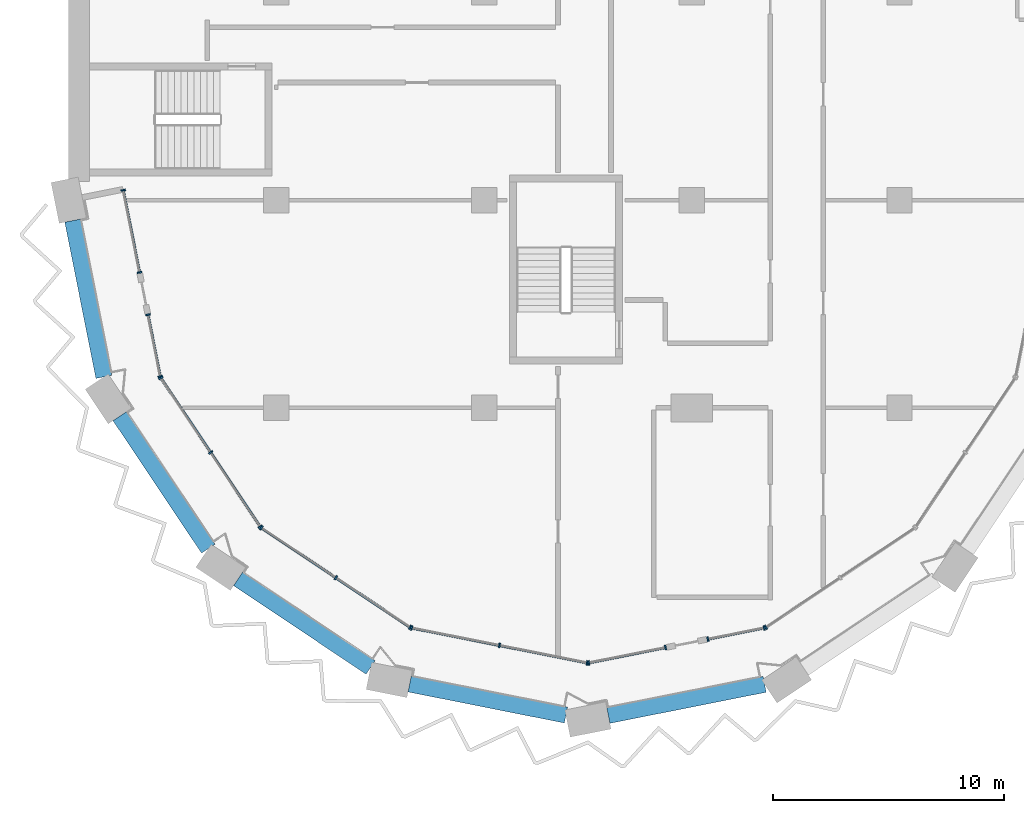
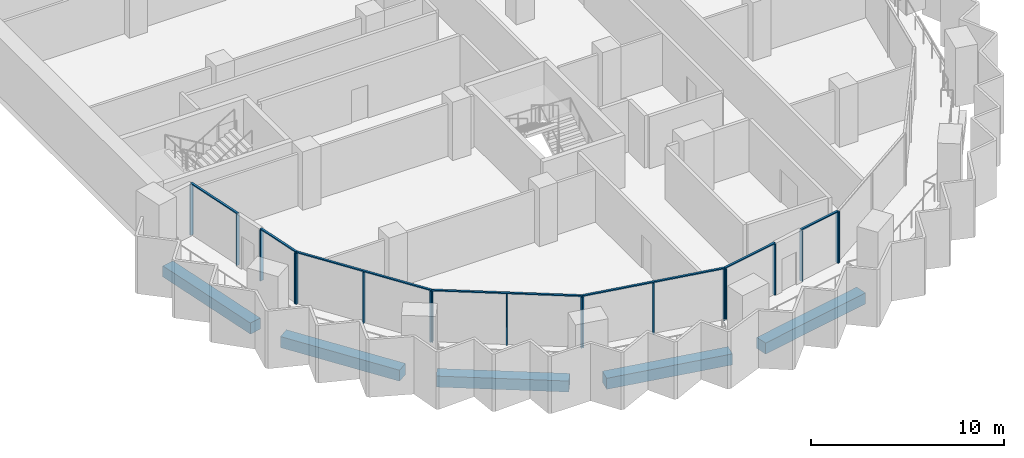
# One storey, part 2 of 17: 25 members, 5 beams, 8 elements without a shape of their own.
"""IFC4 building model written with IfcOpenShell, lengths in metres."""

from ifc_helpers import new_model, si_unit, direction, frame, origin, origin_2d, place, context, subcontext, project, spatial, rectangle, extrude, material, material_profile, profile_set, type_object, element, aggregate, save


model = new_model("IFC4")

# Units and contexts
model_context = context("Model", 3, precision=1e-05, world=origin(), true_north=direction((0.0, 1.0)))
body_context = subcontext(model_context, "Body", "Model", "MODEL_VIEW")
ifc_project = project(units=[si_unit("LENGTHUNIT", "METRE"), si_unit("AREAUNIT", "SQUARE_METRE"), si_unit("VOLUMEUNIT", "CUBIC_METRE"), si_unit("PLANEANGLEUNIT", "RADIAN"), si_unit("MASSUNIT", "GRAM", prefix="KILO")], contexts=[model_context])

# Site, building, storey
site_placement = place(None, origin())
site = spatial("IfcSite", under=ifc_project, at=site_placement, CompositionType="ELEMENT")
building_placement = place(site_placement, origin())
building = spatial("IfcBuilding", under=site, at=building_placement, Name="Hunhe Ridgeline Campus", CompositionType="ELEMENT")
storey_placement = place(building_placement, frame((0.0, 0.0, 208.699951171875)))
storey = spatial("IfcBuildingStorey", under=building, at=storey_placement, Name="L53", CompositionType="ELEMENT", Elevation=208.699951171875)

# Curtain wall, members
ifc_material_1 = material(Name="Aluminium 6063", Category="aluminium")
curtain_wall_type = type_object("IfcCurtainWallType", Name="Curtain wall CW-5", PredefinedType="NOTDEFINED", material=ifc_material_1)
curtain_wall_1_placement = place(storey_placement, origin())
curtain_wall_1 = element("IfcCurtainWall", 1, at=curtain_wall_1_placement, inside=storey, type_object=curtain_wall_type, Name="Curtain wall 01", PredefinedType="NOTDEFINED")
ifc_material_profile_1 = material_profile(ifc_material_1, rectangle(XDim=0.199951171875, YDim=0.070068359375, at=origin_2d()))
ifc_profile_set_1 = profile_set([ifc_material_profile_1], Name="Aluminium 6063")
member_type_1 = type_object("IfcMemberType", Name="CW-5 aluminium mullion", PredefinedType="MULLION", material=ifc_profile_set_1)
member_1_placement = place(storey_placement, frame((2.361572265625, 36.434326171875, 0.0), z_axis=(0.0, 0.0, 1.0), x_axis=(0.980784284924, 0.195095326561, 0.0)))
member_1 = element("IfcMember", 2, at=member_1_placement, type_object=member_type_1, Name="CW-5 mullion 1", PredefinedType="MULLION", context=body_context, shape_type="SweptSolid", body=[
    extrude(rectangle(XDim=0.199951171875, YDim=0.070068359375, at=origin_2d()), origin(), (0.0, 0.0, 1.0), 3.22998046875),
])
member_2_placement = place(storey_placement, frame((3.070068359375, 32.873291015625, 0.0), z_axis=(0.0, 0.0, 1.0), x_axis=(0.980784284924, 0.195095326561, 0.0)))
member_2 = element("IfcMember", 3, at=member_2_placement, type_object=member_type_1, Name="CW-5 mullion 2", PredefinedType="MULLION", context=body_context, shape_type="SweptSolid", body=[
    extrude(rectangle(XDim=0.199951171875, YDim=0.070068359375, at=origin_2d()), origin(), (0.0, 0.0, 1.0), 3.22998046875),
])

curtain_wall_2_placement = place(storey_placement, origin())
curtain_wall_2 = element("IfcCurtainWall", 4, at=curtain_wall_2_placement, inside=storey, type_object=curtain_wall_type, Name="Curtain wall 02", PredefinedType="NOTDEFINED")
member_3_placement = place(storey_placement, frame((3.434814453125, 31.0390625, 0.0), z_axis=(0.0, 0.0, 1.0), x_axis=(0.980784297053, 0.195095265587, 0.0)))
member_3 = element("IfcMember", 5, at=member_3_placement, type_object=member_type_1, Name="CW-5 mullion 1", PredefinedType="MULLION", context=body_context, shape_type="SweptSolid", body=[
    extrude(rectangle(XDim=0.199951171875, YDim=0.070068359375, at=origin_2d()), origin(), (0.0, 0.0, 1.0), 3.22998046875),
])
member_4_placement = place(storey_placement, frame((3.967529296875, 28.36083984375, 0.0), z_axis=(0.0, 0.0, 1.0), x_axis=(0.980784297053, 0.195095265587, 0.0)))
member_4 = element("IfcMember", 6, at=member_4_placement, type_object=member_type_1, Name="CW-5 mullion 2", PredefinedType="MULLION", context=body_context, shape_type="SweptSolid", body=[
    extrude(rectangle(XDim=0.199951171875, YDim=0.070068359375, at=origin_2d()), origin(), (0.0, 0.0, 1.0), 3.22998046875),
])

curtain_wall_3_placement = place(storey_placement, origin())
curtain_wall_3 = element("IfcCurtainWall", 7, at=curtain_wall_3_placement, inside=storey, type_object=curtain_wall_type, Name="Curtain wall 03", PredefinedType="NOTDEFINED")
member_5_placement = place(storey_placement, frame((3.993896484375, 28.29736328125, 0.0), z_axis=(0.0, 0.0, 1.0), x_axis=(0.831469584522, 0.555570274596, 0.0)))
member_5 = element("IfcMember", 8, at=member_5_placement, type_object=member_type_1, Name="CW-5 mullion 1", PredefinedType="MULLION", context=body_context, shape_type="SweptSolid", body=[
    extrude(rectangle(XDim=0.199951171875, YDim=0.070068359375, at=origin_2d()), origin(), (0.0, 0.0, 1.0), 3.22998046875),
])
member_6_placement = place(storey_placement, frame((6.147705078125, 25.07373046875, 0.0), z_axis=(0.0, 0.0, 1.0), x_axis=(0.831469584522, 0.555570274596, 0.0)))
member_6 = element("IfcMember", 9, at=member_6_placement, type_object=member_type_1, Name="CW-5 mullion 2", PredefinedType="MULLION", context=body_context, shape_type="SweptSolid", body=[
    extrude(rectangle(XDim=0.199951171875, YDim=0.070068359375, at=origin_2d()), origin(), (0.0, 0.0, 1.0), 3.22998046875),
])
member_7_placement = place(storey_placement, frame((8.3017578125, 21.850341796875, 0.0), z_axis=(0.0, 0.0, 1.0), x_axis=(0.831469584522, 0.555570274596, 0.0)))
member_7 = element("IfcMember", 10, at=member_7_placement, type_object=member_type_1, Name="CW-5 mullion 3", PredefinedType="MULLION", context=body_context, shape_type="SweptSolid", body=[
    extrude(rectangle(XDim=0.199951171875, YDim=0.070068359375, at=origin_2d()), origin(), (0.0, 0.0, 1.0), 3.22998046875),
])

curtain_wall_4_placement = place(storey_placement, origin())
curtain_wall_4 = element("IfcCurtainWall", 11, at=curtain_wall_4_placement, inside=storey, type_object=curtain_wall_type, Name="Curtain wall 04", PredefinedType="NOTDEFINED")
member_8_placement = place(storey_placement, frame((8.350341796875, 21.8017578125, 0.0), z_axis=(0.0, 0.0, 1.0), x_axis=(0.555570274596, 0.831469584522, 0.0)))
member_8 = element("IfcMember", 12, at=member_8_placement, type_object=member_type_1, Name="CW-5 mullion 1", PredefinedType="MULLION", context=body_context, shape_type="SweptSolid", body=[
    extrude(rectangle(XDim=0.199951171875, YDim=0.070068359375, at=origin_2d()), origin(), (0.0, 0.0, 1.0), 3.22998046875),
])
member_9_placement = place(storey_placement, frame((11.57373046875, 19.647705078125, 0.0), z_axis=(0.0, 0.0, 1.0), x_axis=(0.555570274596, 0.831469584522, 0.0)))
member_9 = element("IfcMember", 13, at=member_9_placement, type_object=member_type_1, Name="CW-5 mullion 2", PredefinedType="MULLION", context=body_context, shape_type="SweptSolid", body=[
    extrude(rectangle(XDim=0.199951171875, YDim=0.070068359375, at=origin_2d()), origin(), (0.0, 0.0, 1.0), 3.22998046875),
])
member_10_placement = place(storey_placement, frame((14.79736328125, 17.493896484375, 0.0), z_axis=(0.0, 0.0, 1.0), x_axis=(0.555570274596, 0.831469584522, 0.0)))
member_10 = element("IfcMember", 14, at=member_10_placement, type_object=member_type_1, Name="CW-5 mullion 3", PredefinedType="MULLION", context=body_context, shape_type="SweptSolid", body=[
    extrude(rectangle(XDim=0.199951171875, YDim=0.070068359375, at=origin_2d()), origin(), (0.0, 0.0, 1.0), 3.22998046875),
])

curtain_wall_5_placement = place(storey_placement, origin())
curtain_wall_5 = element("IfcCurtainWall", 15, at=curtain_wall_5_placement, inside=storey, type_object=curtain_wall_type, Name="Curtain wall 05", PredefinedType="NOTDEFINED")
member_11_placement = place(storey_placement, frame((14.86083984375, 17.467529296875, 0.0), z_axis=(0.0, 0.0, 1.0), x_axis=(0.195090347539, 0.980785275326, 0.0)))
member_11 = element("IfcMember", 16, at=member_11_placement, type_object=member_type_1, Name="CW-5 mullion 1", PredefinedType="MULLION", context=body_context, shape_type="SweptSolid", body=[
    extrude(rectangle(XDim=0.199951171875, YDim=0.070068359375, at=origin_2d()), origin(), (0.0, 0.0, 1.0), 3.22998046875),
])
member_12_placement = place(storey_placement, frame((18.663330078125, 16.711181640625, 0.0), z_axis=(0.0, 0.0, 1.0), x_axis=(0.195090347539, 0.980785275326, 0.0)))
member_12 = element("IfcMember", 17, at=member_12_placement, type_object=member_type_1, Name="CW-5 mullion 2", PredefinedType="MULLION", context=body_context, shape_type="SweptSolid", body=[
    extrude(rectangle(XDim=0.199951171875, YDim=0.070068359375, at=origin_2d()), origin(), (0.0, 0.0, 1.0), 3.22998046875),
])
member_13_placement = place(storey_placement, frame((22.465576171875, 15.954833984375, 0.0), z_axis=(0.0, 0.0, 1.0), x_axis=(0.195090347539, 0.980785275326, 0.0)))
member_13 = element("IfcMember", 18, at=member_13_placement, type_object=member_type_1, Name="CW-5 mullion 3", PredefinedType="MULLION", context=body_context, shape_type="SweptSolid", body=[
    extrude(rectangle(XDim=0.199951171875, YDim=0.070068359375, at=origin_2d()), origin(), (0.0, 0.0, 1.0), 3.22998046875),
])

curtain_wall_6_placement = place(storey_placement, origin())
curtain_wall_6 = element("IfcCurtainWall", 19, at=curtain_wall_6_placement, inside=storey, type_object=curtain_wall_type, Name="Curtain wall 06", PredefinedType="NOTDEFINED")
member_14_placement = place(storey_placement, frame((22.534423828125, 15.954833984375, 0.0), z_axis=(0.0, 0.0, 1.0), x_axis=(-0.19509037034, 0.980785270791, 0.0)))
member_14 = element("IfcMember", 20, at=member_14_placement, type_object=member_type_1, Name="CW-5 mullion 1", PredefinedType="MULLION", context=body_context, shape_type="SweptSolid", body=[
    extrude(rectangle(XDim=0.199951171875, YDim=0.070068359375, at=origin_2d()), origin(), (0.0, 0.0, 1.0), 3.22998046875),
])
member_15_placement = place(storey_placement, frame((25.861083984375, 16.61669921875, 0.0), z_axis=(0.0, 0.0, 1.0), x_axis=(-0.19509037034, 0.980785270791, 0.0)))
member_15 = element("IfcMember", 21, at=member_15_placement, type_object=member_type_1, Name="CW-5 mullion 2", PredefinedType="MULLION", context=body_context, shape_type="SweptSolid", body=[
    extrude(rectangle(XDim=0.199951171875, YDim=0.070068359375, at=origin_2d()), origin(), (0.0, 0.0, 1.0), 3.22998046875),
])

curtain_wall_7_placement = place(storey_placement, origin())
curtain_wall_7 = element("IfcCurtainWall", 22, at=curtain_wall_7_placement, inside=storey, type_object=curtain_wall_type, Name="Curtain wall 07", PredefinedType="NOTDEFINED")
member_16_placement = place(storey_placement, frame((27.695068359375, 16.9814453125, 0.0), z_axis=(0.0, 0.0, 1.0), x_axis=(-0.195090514627, 0.980785242091, 0.0)))
member_16 = element("IfcMember", 23, at=member_16_placement, type_object=member_type_1, Name="CW-5 mullion 1", PredefinedType="MULLION", context=body_context, shape_type="SweptSolid", body=[
    extrude(rectangle(XDim=0.199951171875, YDim=0.070068359375, at=origin_2d()), origin(), (0.0, 0.0, 1.0), 3.22998046875),
])
member_17_placement = place(storey_placement, frame((30.13916015625, 17.467529296875, 0.0), z_axis=(0.0, 0.0, 1.0), x_axis=(-0.195090514627, 0.980785242091, 0.0)))
member_17 = element("IfcMember", 24, at=member_17_placement, type_object=member_type_1, Name="CW-5 mullion 2", PredefinedType="MULLION", context=body_context, shape_type="SweptSolid", body=[
    extrude(rectangle(XDim=0.199951171875, YDim=0.070068359375, at=origin_2d()), origin(), (0.0, 0.0, 1.0), 3.22998046875),
])

# Curtain wall, member
curtain_wall_8_placement = place(storey_placement, origin())
curtain_wall_8 = element("IfcCurtainWall", 25, at=curtain_wall_8_placement, inside=storey, type_object=curtain_wall_type, Name="Curtain wall 08", PredefinedType="NOTDEFINED")
member_18_placement = place(storey_placement, frame((30.20263671875, 17.493896484375, 0.0), z_axis=(0.0, 0.0, 1.0), x_axis=(-0.555570274596, 0.831469584522, 0.0)))
member_18 = element("IfcMember", 26, at=member_18_placement, type_object=member_type_1, Name="CW-5 mullion 1", PredefinedType="MULLION", context=body_context, shape_type="SweptSolid", body=[
    extrude(rectangle(XDim=0.199951171875, YDim=0.070068359375, at=origin_2d()), origin(), (0.0, 0.0, 1.0), 3.22998046875),
])
aggregate(curtain_wall_8, [member_18])

# Member
ifc_material_profile_2 = material_profile(ifc_material_1, rectangle(XDim=0.1201171875, YDim=0.070068359375, at=origin_2d()))
ifc_profile_set_2 = profile_set([ifc_material_profile_2], Name="Aluminium 6063")
member_type_2 = type_object("IfcMemberType", Name="CW-5 aluminium transom", PredefinedType="USERDEFINED", material=ifc_profile_set_2)
member_19_placement = place(storey_placement, frame((2.354736328125, 36.46875, 3.26513671875), z_axis=(0.195126549745, -0.980778073564, 0.0), x_axis=(0.980778073564, 0.195126549745, 0.0)))
member_19 = element("IfcMember", 27, at=member_19_placement, type_object=member_type_2, Name="CW-5 transom 1", ObjectType="TRANSOM", PredefinedType="USERDEFINED", context=body_context, shape_type="SweptSolid", body=[
    extrude(rectangle(XDim=0.1201171875, YDim=0.070068359375, at=origin_2d()), origin(), (0.0, 0.0, 1.0), 3.700927734375),
])

aggregate(curtain_wall_1, [member_19, member_1, member_2])

member_20_placement = place(storey_placement, frame((3.427978515625, 31.073486328125, 3.26513671875), z_axis=(0.195076742145, -0.98078798151, 0.0), x_axis=(0.98078798151, 0.195076742145, 0.0)))
member_20 = element("IfcMember", 28, at=member_20_placement, type_object=member_type_2, Name="CW-5 transom 1", ObjectType="TRANSOM", PredefinedType="USERDEFINED", context=body_context, shape_type="SweptSolid", body=[
    extrude(rectangle(XDim=0.1201171875, YDim=0.070068359375, at=origin_2d()), origin(), (0.0, 0.0, 1.0), 2.80078125),
])

aggregate(curtain_wall_2, [member_20, member_3, member_4])

member_21_placement = place(storey_placement, frame((3.974365234375, 28.326416015625, 3.26513671875), z_axis=(0.5555640203, -0.831473763475, 0.0), x_axis=(0.831473763475, 0.5555640203, 0.0)))
member_21 = element("IfcMember", 29, at=member_21_placement, type_object=member_type_2, Name="CW-5 transom 1", ObjectType="TRANSOM", PredefinedType="USERDEFINED", context=body_context, shape_type="SweptSolid", body=[
    extrude(rectangle(XDim=0.1201171875, YDim=0.070068359375, at=origin_2d()), origin(), (0.0, 0.0, 1.0), 7.823974609375),
])

aggregate(curtain_wall_3, [member_21, member_5, member_6, member_7])

member_22_placement = place(storey_placement, frame((8.321044921875, 21.821044921875, 3.26513671875), z_axis=(0.831473763475, -0.5555640203, 0.0), x_axis=(0.5555640203, 0.831473763475, 0.0)))
member_22 = element("IfcMember", 30, at=member_22_placement, type_object=member_type_2, Name="CW-5 transom 1", ObjectType="TRANSOM", PredefinedType="USERDEFINED", context=body_context, shape_type="SweptSolid", body=[
    extrude(rectangle(XDim=0.1201171875, YDim=0.070068359375, at=origin_2d()), origin(), (0.0, 0.0, 1.0), 7.823974609375),
])

aggregate(curtain_wall_4, [member_22, member_8, member_9, member_10])

member_23_placement = place(storey_placement, frame((14.826416015625, 17.474365234375, 3.26513671875), z_axis=(0.980785367689, -0.195089883198, 0.0), x_axis=(0.195089883198, 0.980785367689, 0.0)))
member_23 = element("IfcMember", 31, at=member_23_placement, type_object=member_type_2, Name="CW-5 transom 1", ObjectType="TRANSOM", PredefinedType="USERDEFINED", context=body_context, shape_type="SweptSolid", body=[
    extrude(rectangle(XDim=0.1201171875, YDim=0.070068359375, at=origin_2d()), origin(), (0.0, 0.0, 1.0), 7.823974609375),
])

aggregate(curtain_wall_5, [member_23, member_11, member_12, member_13])

member_24_placement = place(storey_placement, frame((22.5, 15.947998046875, 3.26513671875), z_axis=(0.980778171596, 0.195126057004, 0.0), x_axis=(-0.195126057004, 0.980778171596, 0.0)))
member_24 = element("IfcMember", 32, at=member_24_placement, type_object=member_type_2, Name="CW-5 transom 1", ObjectType="TRANSOM", PredefinedType="USERDEFINED", context=body_context, shape_type="SweptSolid", body=[
    extrude(rectangle(XDim=0.1201171875, YDim=0.070068359375, at=origin_2d()), origin(), (0.0, 0.0, 1.0), 3.462158203125),
])

aggregate(curtain_wall_6, [member_24, member_14, member_15])

member_25_placement = place(storey_placement, frame((27.660888671875, 16.974609375, 3.26513671875), z_axis=(0.980789038007, 0.195071430315, 0.0), x_axis=(-0.195071430315, 0.980789038007, 0.0)))
member_25 = element("IfcMember", 33, at=member_25_placement, type_object=member_type_2, Name="CW-5 transom 1", ObjectType="TRANSOM", PredefinedType="USERDEFINED", context=body_context, shape_type="SweptSolid", body=[
    extrude(rectangle(XDim=0.1201171875, YDim=0.070068359375, at=origin_2d()), origin(), (0.0, 0.0, 1.0), 2.56201171875),
])

aggregate(curtain_wall_7, [member_25, member_16, member_17])

# Beams
ifc_material_2 = material(Name="Concrete C50", Category="concrete")
ifc_material_profile_3 = material_profile(ifc_material_2, rectangle(XDim=0.699951171875, YDim=0.699951171875, at=origin_2d()))
ifc_profile_set_3 = profile_set([ifc_material_profile_3], Name="Concrete C50")
beam_type = type_object("IfcBeamType", Name="RC spandrel beam 700x700 Concrete C50", PredefinedType="SPANDREL", material=ifc_profile_set_3)
for number, where, z_axis, x_axis, name in (
    (34, (0.175537109375, 35.1171875, -0.599853515625), (0.195102900975, -0.980782778209, 0.0), (0.980782778209, 0.195102900975, 0.0), "Spandrel beam B3-1 L53"),
    (35, (2.212646484375, 26.641357421875, -0.599853515625), (0.55557295, -0.831467796868, 0.0), (0.831467796868, 0.55557295, 0.0), "Spandrel beam B3-2 L53"),
    (36, (7.33837890625, 19.590087890625, -0.599853515625), (0.831467796868, -0.55557295, 0.0), (0.55557295, 0.831467796868, 0.0), "Spandrel beam B3-3 L53"),
    (37, (14.772216796875, 15.037109375, -0.599853515625), (0.980784124029, -0.195096135414, 0.0), (0.195096135414, 0.980784124029, 0.0), "Spandrel beam B3-4 L53"),
    (38, (23.3828125, 13.675537109375, -0.599853515625), (0.980782778209, 0.195102900975, 0.0), (-0.195102900975, 0.980782778209, 0.0), "Spandrel beam B3-5 L53"),
):
    element("IfcBeam", number, at=place(storey_placement, frame(where, z_axis=z_axis, x_axis=x_axis)), inside=storey, type_object=beam_type, Name=name, PredefinedType="SPANDREL", context=body_context, shape_type="SweptSolid", body=[
        extrude(rectangle(XDim=0.699951171875, YDim=0.699951171875, at=origin_2d()), origin(), (0.0, 0.0, 1.0), 6.905029296875),
    ])

save(model, "model.ifc")
